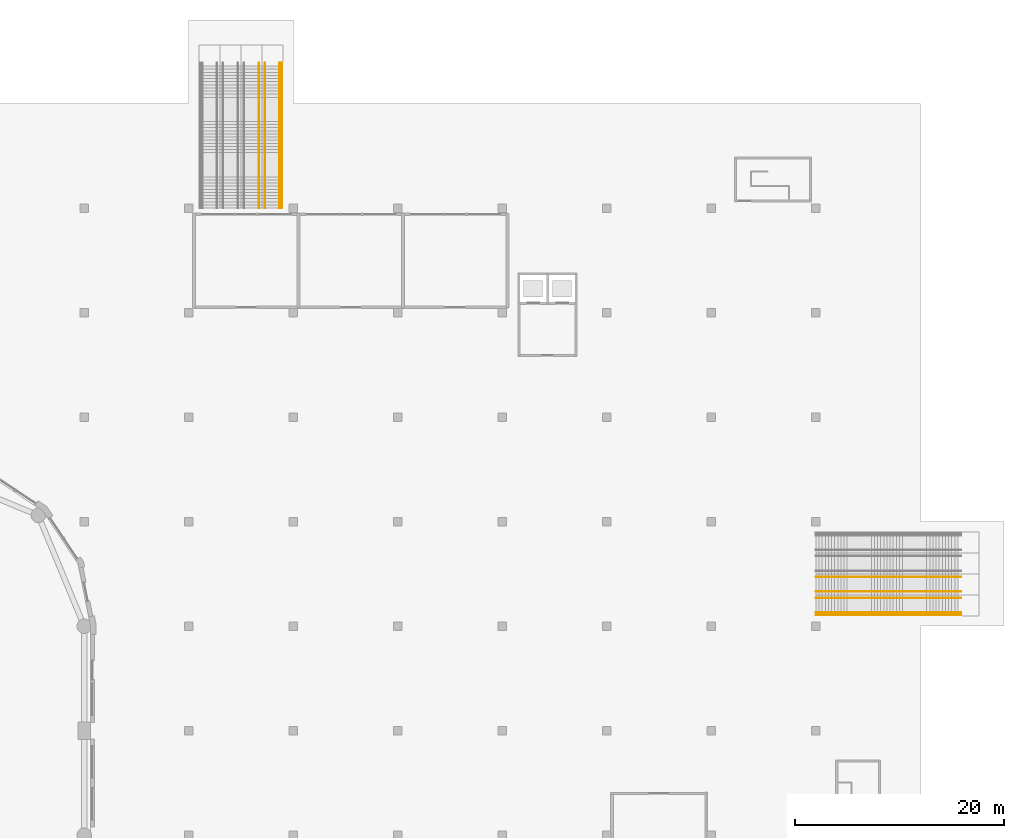
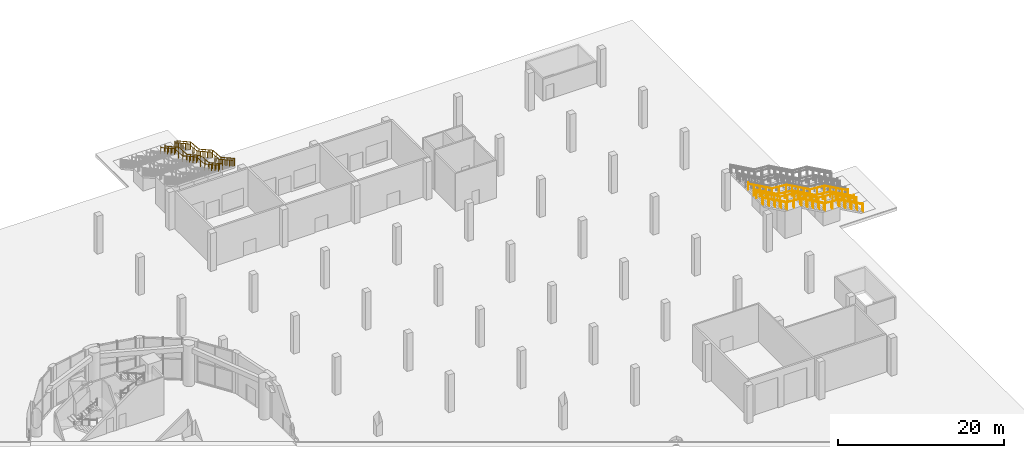
# One storey, part 18 of 21: 9 railings.
"""IFC4 building model written with IfcOpenShell, lengths in metres."""

from ifc_helpers import new_model, si_unit, direction, frame, origin, origin_2d, place, context, subcontext, project, spatial, circle, extrude, material, type_object, element, save


model = new_model("IFC4")

# Units and contexts
model_context = context("Model", 3, precision=1e-05, world=origin(), true_north=direction((0.0, 1.0)))
body_context = subcontext(model_context, "Body", "Model", "MODEL_VIEW")
ifc_project = project(units=[si_unit("LENGTHUNIT", "METRE"), si_unit("AREAUNIT", "SQUARE_METRE"), si_unit("VOLUMEUNIT", "CUBIC_METRE"), si_unit("PLANEANGLEUNIT", "RADIAN"), si_unit("MASSUNIT", "GRAM", prefix="KILO")], contexts=[model_context])

# Site, building, storey
site_placement = place(None, origin())
site = spatial("IfcSite", under=ifc_project, at=site_placement, CompositionType="ELEMENT")
building_placement = place(site_placement, origin())
building = spatial("IfcBuilding", under=site, at=building_placement, Name="Qaws Garden Tower", CompositionType="ELEMENT")
storey_placement = place(building_placement, origin())
storey = spatial("IfcBuildingStorey", under=building, at=storey_placement, Name="L00", CompositionType="ELEMENT", Elevation=0.0)

# Railings
ifc_material_1 = material(Name="Steel S355", Category="steel")
railing_type_1 = type_object("IfcRailingType", Name="Guard steel balustrade 1100", PredefinedType="GUARDRAIL", material=ifc_material_1)
railing_1_placement = place(storey_placement, frame((48.93994140625, 100.0, 6.0)))
element("IfcRailing", 1, at=railing_1_placement, inside=storey, type_object=railing_type_1, Name="Stair guard", PredefinedType="GUARDRAIL", context=body_context, shape_type="SweptSolid", body=[
    extrude(circle(Radius=0.02392578125, at=origin_2d()), frame((0.0, 0.0, 1.076171875), z_axis=(0.0, 0.874169478083, -0.485620966999), x_axis=(-1.0, 0.0, 0.0)), (0.0, 0.0, 1.0), 3.775146484375),
    extrude(circle(Radius=0.02392578125, at=origin_2d()), frame((0.0, 3.300048828125, -0.75732421875), z_axis=(0.0, 0.996542401618, -0.083085749549), x_axis=(-1.0, 0.0, 0.0)), (0.0, 0.0, 1.0), 2.0068359375),
    extrude(circle(Radius=0.02392578125, at=origin_2d()), frame((0.0, 5.300048828125, -0.923828125), z_axis=(0.0, 0.874169478083, -0.485620966999), x_axis=(-1.0, 0.0, 0.0)), (0.0, 0.0, 1.0), 3.775146484375),
    extrude(circle(Radius=0.02392578125, at=origin_2d()), frame((0.0, 8.60009765625, -2.75732421875), z_axis=(0.0, 0.996542401618, -0.083085749549), x_axis=(-1.0, 0.0, 0.0)), (0.0, 0.0, 1.0), 2.0068359375),
    extrude(circle(Radius=0.02392578125, at=origin_2d()), frame((0.0, 10.60009765625, -2.923828125), z_axis=(0.0, 0.874154225373, -0.485648422486), x_axis=(-1.0, 0.0, 0.0)), (0.0, 0.0, 1.0), 3.77490234375),
    extrude(circle(Radius=0.02099609375, at=origin_2d()), origin(), (0.0, 0.0, 1.0), 1.052001953125),
    extrude(circle(Radius=0.02099609375, at=origin_2d()), frame((0.0, 0.824951171875, -0.458251953125)), (0.0, 0.0, 1.0), 1.052001953125),
    extrude(circle(Radius=0.02099609375, at=origin_2d()), frame((0.0, 1.64990234375, -0.91650390625)), (0.0, 0.0, 1.0), 1.052001953125),
    extrude(circle(Radius=0.02099609375, at=origin_2d()), frame((0.0, 2.47509765625, -1.375)), (0.0, 0.0, 1.0), 1.052001953125),
    extrude(circle(Radius=0.02099609375, at=origin_2d()), frame((0.0, 3.300048828125, -1.833251953125)), (0.0, 0.0, 1.0), 1.052001953125),
    extrude(circle(Radius=0.02099609375, at=origin_2d()), frame((0.0, 4.300048828125, -1.91650390625)), (0.0, 0.0, 1.0), 1.052001953125),
    extrude(circle(Radius=0.02099609375, at=origin_2d()), frame((0.0, 5.300048828125, -2.0)), (0.0, 0.0, 1.0), 1.052001953125),
    extrude(circle(Radius=0.02099609375, at=origin_2d()), frame((0.0, 6.125, -2.458251953125)), (0.0, 0.0, 1.0), 1.052001953125),
    extrude(circle(Radius=0.02099609375, at=origin_2d()), frame((0.0, 6.9501953125, -2.91650390625)), (0.0, 0.0, 1.0), 1.052001953125),
    extrude(circle(Radius=0.02099609375, at=origin_2d()), frame((0.0, 7.775146484375, -3.375)), (0.0, 0.0, 1.0), 1.052001953125),
    extrude(circle(Radius=0.02099609375, at=origin_2d()), frame((0.0, 8.60009765625, -3.833251953125)), (0.0, 0.0, 1.0), 1.052001953125),
    extrude(circle(Radius=0.02099609375, at=origin_2d()), frame((0.0, 9.60009765625, -3.91650390625)), (0.0, 0.0, 1.0), 1.052001953125),
    extrude(circle(Radius=0.02099609375, at=origin_2d()), frame((0.0, 10.60009765625, -4.0)), (0.0, 0.0, 1.0), 1.052001953125),
    extrude(circle(Radius=0.02099609375, at=origin_2d()), frame((0.0, 11.425048828125, -4.458251953125)), (0.0, 0.0, 1.0), 1.052001953125),
    extrude(circle(Radius=0.02099609375, at=origin_2d()), frame((0.0, 12.25, -4.91650390625)), (0.0, 0.0, 1.0), 1.052001953125),
    extrude(circle(Radius=0.02099609375, at=origin_2d()), frame((0.0, 13.074951171875, -5.375)), (0.0, 0.0, 1.0), 1.052001953125),
    extrude(circle(Radius=0.02099609375, at=origin_2d()), frame((0.0, 13.89990234375, -5.833251953125)), (0.0, 0.0, 1.0), 1.052001953125),
])
railing_2_placement = place(storey_placement, frame((100.0, 61.06005859375, 6.0)))
element("IfcRailing", 2, at=railing_2_placement, inside=storey, type_object=railing_type_1, Name="Stair guard", PredefinedType="GUARDRAIL", context=body_context, shape_type="SweptSolid", body=[
    extrude(circle(Radius=0.02392578125, at=origin_2d()), frame((0.0, 0.0, 1.076171875), z_axis=(0.874169478083, 0.0, -0.485620966999), x_axis=(0.0, 1.0, 0.0)), (0.0, 0.0, 1.0), 3.775146484375),
    extrude(circle(Radius=0.02392578125, at=origin_2d()), frame((3.300048828125, 0.0, -0.75732421875), z_axis=(0.996542401618, 0.0, -0.083085749549), x_axis=(0.0, 1.0, 0.0)), (0.0, 0.0, 1.0), 2.0068359375),
    extrude(circle(Radius=0.02392578125, at=origin_2d()), frame((5.300048828125, 0.0, -0.923828125), z_axis=(0.874169478083, 0.0, -0.485620966999), x_axis=(0.0, 1.0, 0.0)), (0.0, 0.0, 1.0), 3.775146484375),
    extrude(circle(Radius=0.02392578125, at=origin_2d()), frame((8.60009765625, 0.0, -2.75732421875), z_axis=(0.996542401618, 0.0, -0.083085749549), x_axis=(0.0, 1.0, 0.0)), (0.0, 0.0, 1.0), 2.0068359375),
    extrude(circle(Radius=0.02392578125, at=origin_2d()), frame((10.60009765625, 0.0, -2.923828125), z_axis=(0.874154225373, 0.0, -0.485648422486), x_axis=(0.0, 1.0, 0.0)), (0.0, 0.0, 1.0), 3.77490234375),
    extrude(circle(Radius=0.02099609375, at=origin_2d()), origin(), (0.0, 0.0, 1.0), 1.052001953125),
    extrude(circle(Radius=0.02099609375, at=origin_2d()), frame((0.824951171875, 0.0, -0.458251953125)), (0.0, 0.0, 1.0), 1.052001953125),
    extrude(circle(Radius=0.02099609375, at=origin_2d()), frame((1.64990234375, 0.0, -0.91650390625)), (0.0, 0.0, 1.0), 1.052001953125),
    extrude(circle(Radius=0.02099609375, at=origin_2d()), frame((2.47509765625, 0.0, -1.375)), (0.0, 0.0, 1.0), 1.052001953125),
    extrude(circle(Radius=0.02099609375, at=origin_2d()), frame((3.300048828125, 0.0, -1.833251953125)), (0.0, 0.0, 1.0), 1.052001953125),
    extrude(circle(Radius=0.02099609375, at=origin_2d()), frame((4.300048828125, 0.0, -1.91650390625)), (0.0, 0.0, 1.0), 1.052001953125),
    extrude(circle(Radius=0.02099609375, at=origin_2d()), frame((5.300048828125, 0.0, -2.0)), (0.0, 0.0, 1.0), 1.052001953125),
    extrude(circle(Radius=0.02099609375, at=origin_2d()), frame((6.125, 0.0, -2.458251953125)), (0.0, 0.0, 1.0), 1.052001953125),
    extrude(circle(Radius=0.02099609375, at=origin_2d()), frame((6.9501953125, 0.0, -2.91650390625)), (0.0, 0.0, 1.0), 1.052001953125),
    extrude(circle(Radius=0.02099609375, at=origin_2d()), frame((7.775146484375, 0.0, -3.375)), (0.0, 0.0, 1.0), 1.052001953125),
    extrude(circle(Radius=0.02099609375, at=origin_2d()), frame((8.60009765625, 0.0, -3.833251953125)), (0.0, 0.0, 1.0), 1.052001953125),
    extrude(circle(Radius=0.02099609375, at=origin_2d()), frame((9.60009765625, 0.0, -3.91650390625)), (0.0, 0.0, 1.0), 1.052001953125),
    extrude(circle(Radius=0.02099609375, at=origin_2d()), frame((10.60009765625, 0.0, -4.0)), (0.0, 0.0, 1.0), 1.052001953125),
    extrude(circle(Radius=0.02099609375, at=origin_2d()), frame((11.425048828125, 0.0, -4.458251953125)), (0.0, 0.0, 1.0), 1.052001953125),
    extrude(circle(Radius=0.02099609375, at=origin_2d()), frame((12.25, 0.0, -4.91650390625)), (0.0, 0.0, 1.0), 1.052001953125),
    extrude(circle(Radius=0.02099609375, at=origin_2d()), frame((13.074951171875, 0.0, -5.375)), (0.0, 0.0, 1.0), 1.052001953125),
    extrude(circle(Radius=0.02099609375, at=origin_2d()), frame((13.89990234375, 0.0, -5.833251953125)), (0.0, 0.0, 1.0), 1.052001953125),
])
ifc_material_2 = material(Name="Stainless steel 316", Category="steel")
railing_type_2 = type_object("IfcRailingType", Name="Handrail 900", PredefinedType="HANDRAIL", material=ifc_material_2)
railing_3_placement = place(storey_placement, frame((48.699951171875, 100.0, 6.0)))
element("IfcRailing", 3, at=railing_3_placement, inside=storey, type_object=railing_type_2, Name="Stair handrail", PredefinedType="HANDRAIL", context=body_context, shape_type="SweptSolid", body=[
    extrude(circle(Radius=0.02392578125, at=origin_2d()), frame((0.0, 0.0, 0.8759765625), z_axis=(0.0, 0.874169478083, -0.485620966999), x_axis=(-1.0, 0.0, 0.0)), (0.0, 0.0, 1.0), 3.775146484375),
    extrude(circle(Radius=0.02392578125, at=origin_2d()), frame((0.0, 3.300048828125, -0.95751953125), z_axis=(0.0, 0.996542401618, -0.083085749549), x_axis=(-1.0, 0.0, 0.0)), (0.0, 0.0, 1.0), 2.0068359375),
    extrude(circle(Radius=0.02392578125, at=origin_2d()), frame((0.0, 5.300048828125, -1.1240234375), z_axis=(0.0, 0.874169478083, -0.485620966999), x_axis=(-1.0, 0.0, 0.0)), (0.0, 0.0, 1.0), 3.775146484375),
    extrude(circle(Radius=0.02392578125, at=origin_2d()), frame((0.0, 8.60009765625, -2.95751953125), z_axis=(0.0, 0.996542401618, -0.083085749549), x_axis=(-1.0, 0.0, 0.0)), (0.0, 0.0, 1.0), 2.0068359375),
    extrude(circle(Radius=0.02392578125, at=origin_2d()), frame((0.0, 10.60009765625, -3.1240234375), z_axis=(0.0, 0.874154225373, -0.485648422486), x_axis=(-1.0, 0.0, 0.0)), (0.0, 0.0, 1.0), 3.77490234375),
    extrude(circle(Radius=0.02099609375, at=origin_2d()), origin(), (0.0, 0.0, 1.0), 1.06689453125),
    extrude(circle(Radius=0.02099609375, at=origin_2d()), frame((0.0, 0.824951171875, -0.458251953125)), (0.0, 0.0, 1.0), 0.851806640625),
    extrude(circle(Radius=0.02099609375, at=origin_2d()), frame((0.0, 1.64990234375, -0.91650390625)), (0.0, 0.0, 1.0), 0.851806640625),
    extrude(circle(Radius=0.02099609375, at=origin_2d()), frame((0.0, 2.47509765625, -1.375)), (0.0, 0.0, 1.0), 0.851806640625),
    extrude(circle(Radius=0.02099609375, at=origin_2d()), frame((0.0, 3.300048828125, -1.833251953125)), (0.0, 0.0, 1.0), 0.851806640625),
    extrude(circle(Radius=0.02099609375, at=origin_2d()), frame((0.0, 4.300048828125, -1.91650390625)), (0.0, 0.0, 1.0), 0.851806640625),
    extrude(circle(Radius=0.02099609375, at=origin_2d()), frame((0.0, 5.300048828125, -2.0)), (0.0, 0.0, 1.0), 0.851806640625),
    extrude(circle(Radius=0.02099609375, at=origin_2d()), frame((0.0, 6.125, -2.458251953125)), (0.0, 0.0, 1.0), 0.851806640625),
    extrude(circle(Radius=0.02099609375, at=origin_2d()), frame((0.0, 6.9501953125, -2.91650390625)), (0.0, 0.0, 1.0), 0.851806640625),
    extrude(circle(Radius=0.02099609375, at=origin_2d()), frame((0.0, 7.775146484375, -3.375)), (0.0, 0.0, 1.0), 0.851806640625),
    extrude(circle(Radius=0.02099609375, at=origin_2d()), frame((0.0, 8.60009765625, -3.833251953125)), (0.0, 0.0, 1.0), 0.851806640625),
    extrude(circle(Radius=0.02099609375, at=origin_2d()), frame((0.0, 9.60009765625, -3.91650390625)), (0.0, 0.0, 1.0), 0.851806640625),
    extrude(circle(Radius=0.02099609375, at=origin_2d()), frame((0.0, 10.60009765625, -4.0)), (0.0, 0.0, 1.0), 0.851806640625),
    extrude(circle(Radius=0.02099609375, at=origin_2d()), frame((0.0, 11.425048828125, -4.458251953125)), (0.0, 0.0, 1.0), 0.851806640625),
    extrude(circle(Radius=0.02099609375, at=origin_2d()), frame((0.0, 12.25, -4.91650390625)), (0.0, 0.0, 1.0), 0.851806640625),
    extrude(circle(Radius=0.02099609375, at=origin_2d()), frame((0.0, 13.074951171875, -5.375)), (0.0, 0.0, 1.0), 0.851806640625),
    extrude(circle(Radius=0.02099609375, at=origin_2d()), frame((0.0, 13.89990234375, -5.833251953125)), (0.0, 0.0, 1.0), 1.06689453125),
])
railing_4_placement = place(storey_placement, frame((47.300048828125, 100.0, 6.0)))
element("IfcRailing", 4, at=railing_4_placement, inside=storey, type_object=railing_type_2, Name="Stair handrail", PredefinedType="HANDRAIL", context=body_context, shape_type="SweptSolid", body=[
    extrude(circle(Radius=0.02392578125, at=origin_2d()), frame((0.0, 0.0, 0.8759765625), z_axis=(0.0, 0.874169478083, -0.485620966999), x_axis=(-1.0, 0.0, 0.0)), (0.0, 0.0, 1.0), 3.775146484375),
    extrude(circle(Radius=0.02392578125, at=origin_2d()), frame((0.0, 3.300048828125, -0.95751953125), z_axis=(0.0, 0.996542401618, -0.083085749549), x_axis=(-1.0, 0.0, 0.0)), (0.0, 0.0, 1.0), 2.0068359375),
    extrude(circle(Radius=0.02392578125, at=origin_2d()), frame((0.0, 5.300048828125, -1.1240234375), z_axis=(0.0, 0.874169478083, -0.485620966999), x_axis=(-1.0, 0.0, 0.0)), (0.0, 0.0, 1.0), 3.775146484375),
    extrude(circle(Radius=0.02392578125, at=origin_2d()), frame((0.0, 8.60009765625, -2.95751953125), z_axis=(0.0, 0.996542401618, -0.083085749549), x_axis=(-1.0, 0.0, 0.0)), (0.0, 0.0, 1.0), 2.0068359375),
    extrude(circle(Radius=0.02392578125, at=origin_2d()), frame((0.0, 10.60009765625, -3.1240234375), z_axis=(0.0, 0.874154225373, -0.485648422486), x_axis=(-1.0, 0.0, 0.0)), (0.0, 0.0, 1.0), 3.77490234375),
    extrude(circle(Radius=0.02099609375, at=origin_2d()), origin(), (0.0, 0.0, 1.0), 1.06689453125),
    extrude(circle(Radius=0.02099609375, at=origin_2d()), frame((0.0, 0.824951171875, -0.458251953125)), (0.0, 0.0, 1.0), 0.851806640625),
    extrude(circle(Radius=0.02099609375, at=origin_2d()), frame((0.0, 1.64990234375, -0.91650390625)), (0.0, 0.0, 1.0), 0.851806640625),
    extrude(circle(Radius=0.02099609375, at=origin_2d()), frame((0.0, 2.47509765625, -1.375)), (0.0, 0.0, 1.0), 0.851806640625),
    extrude(circle(Radius=0.02099609375, at=origin_2d()), frame((0.0, 3.300048828125, -1.833251953125)), (0.0, 0.0, 1.0), 0.851806640625),
    extrude(circle(Radius=0.02099609375, at=origin_2d()), frame((0.0, 4.300048828125, -1.91650390625)), (0.0, 0.0, 1.0), 0.851806640625),
    extrude(circle(Radius=0.02099609375, at=origin_2d()), frame((0.0, 5.300048828125, -2.0)), (0.0, 0.0, 1.0), 0.851806640625),
    extrude(circle(Radius=0.02099609375, at=origin_2d()), frame((0.0, 6.125, -2.458251953125)), (0.0, 0.0, 1.0), 0.851806640625),
    extrude(circle(Radius=0.02099609375, at=origin_2d()), frame((0.0, 6.9501953125, -2.91650390625)), (0.0, 0.0, 1.0), 0.851806640625),
    extrude(circle(Radius=0.02099609375, at=origin_2d()), frame((0.0, 7.775146484375, -3.375)), (0.0, 0.0, 1.0), 0.851806640625),
    extrude(circle(Radius=0.02099609375, at=origin_2d()), frame((0.0, 8.60009765625, -3.833251953125)), (0.0, 0.0, 1.0), 0.851806640625),
    extrude(circle(Radius=0.02099609375, at=origin_2d()), frame((0.0, 9.60009765625, -3.91650390625)), (0.0, 0.0, 1.0), 0.851806640625),
    extrude(circle(Radius=0.02099609375, at=origin_2d()), frame((0.0, 10.60009765625, -4.0)), (0.0, 0.0, 1.0), 0.851806640625),
    extrude(circle(Radius=0.02099609375, at=origin_2d()), frame((0.0, 11.425048828125, -4.458251953125)), (0.0, 0.0, 1.0), 0.851806640625),
    extrude(circle(Radius=0.02099609375, at=origin_2d()), frame((0.0, 12.25, -4.91650390625)), (0.0, 0.0, 1.0), 0.851806640625),
    extrude(circle(Radius=0.02099609375, at=origin_2d()), frame((0.0, 13.074951171875, -5.375)), (0.0, 0.0, 1.0), 0.851806640625),
    extrude(circle(Radius=0.02099609375, at=origin_2d()), frame((0.0, 13.89990234375, -5.833251953125)), (0.0, 0.0, 1.0), 1.06689453125),
])
railing_5_placement = place(storey_placement, frame((46.699951171875, 100.0, 6.0)))
element("IfcRailing", 5, at=railing_5_placement, inside=storey, type_object=railing_type_2, Name="Stair handrail", PredefinedType="HANDRAIL", context=body_context, shape_type="SweptSolid", body=[
    extrude(circle(Radius=0.02392578125, at=origin_2d()), frame((0.0, 0.0, 0.8759765625), z_axis=(0.0, 0.874169478083, -0.485620966999), x_axis=(-1.0, 0.0, 0.0)), (0.0, 0.0, 1.0), 3.775146484375),
    extrude(circle(Radius=0.02392578125, at=origin_2d()), frame((0.0, 3.300048828125, -0.95751953125), z_axis=(0.0, 0.996542401618, -0.083085749549), x_axis=(-1.0, 0.0, 0.0)), (0.0, 0.0, 1.0), 2.0068359375),
    extrude(circle(Radius=0.02392578125, at=origin_2d()), frame((0.0, 5.300048828125, -1.1240234375), z_axis=(0.0, 0.874169478083, -0.485620966999), x_axis=(-1.0, 0.0, 0.0)), (0.0, 0.0, 1.0), 3.775146484375),
    extrude(circle(Radius=0.02392578125, at=origin_2d()), frame((0.0, 8.60009765625, -2.95751953125), z_axis=(0.0, 0.996542401618, -0.083085749549), x_axis=(-1.0, 0.0, 0.0)), (0.0, 0.0, 1.0), 2.0068359375),
    extrude(circle(Radius=0.02392578125, at=origin_2d()), frame((0.0, 10.60009765625, -3.1240234375), z_axis=(0.0, 0.874154225373, -0.485648422486), x_axis=(-1.0, 0.0, 0.0)), (0.0, 0.0, 1.0), 3.77490234375),
    extrude(circle(Radius=0.02099609375, at=origin_2d()), origin(), (0.0, 0.0, 1.0), 1.06689453125),
    extrude(circle(Radius=0.02099609375, at=origin_2d()), frame((0.0, 0.824951171875, -0.458251953125)), (0.0, 0.0, 1.0), 0.851806640625),
    extrude(circle(Radius=0.02099609375, at=origin_2d()), frame((0.0, 1.64990234375, -0.91650390625)), (0.0, 0.0, 1.0), 0.851806640625),
    extrude(circle(Radius=0.02099609375, at=origin_2d()), frame((0.0, 2.47509765625, -1.375)), (0.0, 0.0, 1.0), 0.851806640625),
    extrude(circle(Radius=0.02099609375, at=origin_2d()), frame((0.0, 3.300048828125, -1.833251953125)), (0.0, 0.0, 1.0), 0.851806640625),
    extrude(circle(Radius=0.02099609375, at=origin_2d()), frame((0.0, 4.300048828125, -1.91650390625)), (0.0, 0.0, 1.0), 0.851806640625),
    extrude(circle(Radius=0.02099609375, at=origin_2d()), frame((0.0, 5.300048828125, -2.0)), (0.0, 0.0, 1.0), 0.851806640625),
    extrude(circle(Radius=0.02099609375, at=origin_2d()), frame((0.0, 6.125, -2.458251953125)), (0.0, 0.0, 1.0), 0.851806640625),
    extrude(circle(Radius=0.02099609375, at=origin_2d()), frame((0.0, 6.9501953125, -2.91650390625)), (0.0, 0.0, 1.0), 0.851806640625),
    extrude(circle(Radius=0.02099609375, at=origin_2d()), frame((0.0, 7.775146484375, -3.375)), (0.0, 0.0, 1.0), 0.851806640625),
    extrude(circle(Radius=0.02099609375, at=origin_2d()), frame((0.0, 8.60009765625, -3.833251953125)), (0.0, 0.0, 1.0), 0.851806640625),
    extrude(circle(Radius=0.02099609375, at=origin_2d()), frame((0.0, 9.60009765625, -3.91650390625)), (0.0, 0.0, 1.0), 0.851806640625),
    extrude(circle(Radius=0.02099609375, at=origin_2d()), frame((0.0, 10.60009765625, -4.0)), (0.0, 0.0, 1.0), 0.851806640625),
    extrude(circle(Radius=0.02099609375, at=origin_2d()), frame((0.0, 11.425048828125, -4.458251953125)), (0.0, 0.0, 1.0), 0.851806640625),
    extrude(circle(Radius=0.02099609375, at=origin_2d()), frame((0.0, 12.25, -4.91650390625)), (0.0, 0.0, 1.0), 0.851806640625),
    extrude(circle(Radius=0.02099609375, at=origin_2d()), frame((0.0, 13.074951171875, -5.375)), (0.0, 0.0, 1.0), 0.851806640625),
    extrude(circle(Radius=0.02099609375, at=origin_2d()), frame((0.0, 13.89990234375, -5.833251953125)), (0.0, 0.0, 1.0), 1.06689453125),
])
railing_6_placement = place(storey_placement, frame((100.0, 61.300048828125, 6.0)))
element("IfcRailing", 6, at=railing_6_placement, inside=storey, type_object=railing_type_2, Name="Stair handrail", PredefinedType="HANDRAIL", context=body_context, shape_type="SweptSolid", body=[
    extrude(circle(Radius=0.02392578125, at=origin_2d()), frame((0.0, 0.0, 0.8759765625), z_axis=(0.874169478083, 0.0, -0.485620966999), x_axis=(0.0, 1.0, 0.0)), (0.0, 0.0, 1.0), 3.775146484375),
    extrude(circle(Radius=0.02392578125, at=origin_2d()), frame((3.300048828125, 0.0, -0.95751953125), z_axis=(0.996542401618, 0.0, -0.083085749549), x_axis=(0.0, 1.0, 0.0)), (0.0, 0.0, 1.0), 2.0068359375),
    extrude(circle(Radius=0.02392578125, at=origin_2d()), frame((5.300048828125, 0.0, -1.1240234375), z_axis=(0.874169478083, 0.0, -0.485620966999), x_axis=(0.0, 1.0, 0.0)), (0.0, 0.0, 1.0), 3.775146484375),
    extrude(circle(Radius=0.02392578125, at=origin_2d()), frame((8.60009765625, 0.0, -2.95751953125), z_axis=(0.996542401618, 0.0, -0.083085749549), x_axis=(0.0, 1.0, 0.0)), (0.0, 0.0, 1.0), 2.0068359375),
    extrude(circle(Radius=0.02392578125, at=origin_2d()), frame((10.60009765625, 0.0, -3.1240234375), z_axis=(0.874154225373, 0.0, -0.485648422486), x_axis=(0.0, 1.0, 0.0)), (0.0, 0.0, 1.0), 3.77490234375),
    extrude(circle(Radius=0.02099609375, at=origin_2d()), origin(), (0.0, 0.0, 1.0), 1.06689453125),
    extrude(circle(Radius=0.02099609375, at=origin_2d()), frame((0.824951171875, 0.0, -0.458251953125)), (0.0, 0.0, 1.0), 0.851806640625),
    extrude(circle(Radius=0.02099609375, at=origin_2d()), frame((1.64990234375, 0.0, -0.91650390625)), (0.0, 0.0, 1.0), 0.851806640625),
    extrude(circle(Radius=0.02099609375, at=origin_2d()), frame((2.47509765625, 0.0, -1.375)), (0.0, 0.0, 1.0), 0.851806640625),
    extrude(circle(Radius=0.02099609375, at=origin_2d()), frame((3.300048828125, 0.0, -1.833251953125)), (0.0, 0.0, 1.0), 0.851806640625),
    extrude(circle(Radius=0.02099609375, at=origin_2d()), frame((4.300048828125, 0.0, -1.91650390625)), (0.0, 0.0, 1.0), 0.851806640625),
    extrude(circle(Radius=0.02099609375, at=origin_2d()), frame((5.300048828125, 0.0, -2.0)), (0.0, 0.0, 1.0), 0.851806640625),
    extrude(circle(Radius=0.02099609375, at=origin_2d()), frame((6.125, 0.0, -2.458251953125)), (0.0, 0.0, 1.0), 0.851806640625),
    extrude(circle(Radius=0.02099609375, at=origin_2d()), frame((6.9501953125, 0.0, -2.91650390625)), (0.0, 0.0, 1.0), 0.851806640625),
    extrude(circle(Radius=0.02099609375, at=origin_2d()), frame((7.775146484375, 0.0, -3.375)), (0.0, 0.0, 1.0), 0.851806640625),
    extrude(circle(Radius=0.02099609375, at=origin_2d()), frame((8.60009765625, 0.0, -3.833251953125)), (0.0, 0.0, 1.0), 0.851806640625),
    extrude(circle(Radius=0.02099609375, at=origin_2d()), frame((9.60009765625, 0.0, -3.91650390625)), (0.0, 0.0, 1.0), 0.851806640625),
    extrude(circle(Radius=0.02099609375, at=origin_2d()), frame((10.60009765625, 0.0, -4.0)), (0.0, 0.0, 1.0), 0.851806640625),
    extrude(circle(Radius=0.02099609375, at=origin_2d()), frame((11.425048828125, 0.0, -4.458251953125)), (0.0, 0.0, 1.0), 0.851806640625),
    extrude(circle(Radius=0.02099609375, at=origin_2d()), frame((12.25, 0.0, -4.91650390625)), (0.0, 0.0, 1.0), 0.851806640625),
    extrude(circle(Radius=0.02099609375, at=origin_2d()), frame((13.074951171875, 0.0, -5.375)), (0.0, 0.0, 1.0), 0.851806640625),
    extrude(circle(Radius=0.02099609375, at=origin_2d()), frame((13.89990234375, 0.0, -5.833251953125)), (0.0, 0.0, 1.0), 1.06689453125),
])
railing_7_placement = place(storey_placement, frame((100.0, 62.699951171875, 6.0)))
element("IfcRailing", 7, at=railing_7_placement, inside=storey, type_object=railing_type_2, Name="Stair handrail", PredefinedType="HANDRAIL", context=body_context, shape_type="SweptSolid", body=[
    extrude(circle(Radius=0.02392578125, at=origin_2d()), frame((0.0, 0.0, 0.8759765625), z_axis=(0.874169478083, 0.0, -0.485620966999), x_axis=(0.0, 1.0, 0.0)), (0.0, 0.0, 1.0), 3.775146484375),
    extrude(circle(Radius=0.02392578125, at=origin_2d()), frame((3.300048828125, 0.0, -0.95751953125), z_axis=(0.996542401618, 0.0, -0.083085749549), x_axis=(0.0, 1.0, 0.0)), (0.0, 0.0, 1.0), 2.0068359375),
    extrude(circle(Radius=0.02392578125, at=origin_2d()), frame((5.300048828125, 0.0, -1.1240234375), z_axis=(0.874169478083, 0.0, -0.485620966999), x_axis=(0.0, 1.0, 0.0)), (0.0, 0.0, 1.0), 3.775146484375),
    extrude(circle(Radius=0.02392578125, at=origin_2d()), frame((8.60009765625, 0.0, -2.95751953125), z_axis=(0.996542401618, 0.0, -0.083085749549), x_axis=(0.0, 1.0, 0.0)), (0.0, 0.0, 1.0), 2.0068359375),
    extrude(circle(Radius=0.02392578125, at=origin_2d()), frame((10.60009765625, 0.0, -3.1240234375), z_axis=(0.874154225373, 0.0, -0.485648422486), x_axis=(0.0, 1.0, 0.0)), (0.0, 0.0, 1.0), 3.77490234375),
    extrude(circle(Radius=0.02099609375, at=origin_2d()), origin(), (0.0, 0.0, 1.0), 1.06689453125),
    extrude(circle(Radius=0.02099609375, at=origin_2d()), frame((0.824951171875, 0.0, -0.458251953125)), (0.0, 0.0, 1.0), 0.851806640625),
    extrude(circle(Radius=0.02099609375, at=origin_2d()), frame((1.64990234375, 0.0, -0.91650390625)), (0.0, 0.0, 1.0), 0.851806640625),
    extrude(circle(Radius=0.02099609375, at=origin_2d()), frame((2.47509765625, 0.0, -1.375)), (0.0, 0.0, 1.0), 0.851806640625),
    extrude(circle(Radius=0.02099609375, at=origin_2d()), frame((3.300048828125, 0.0, -1.833251953125)), (0.0, 0.0, 1.0), 0.851806640625),
    extrude(circle(Radius=0.02099609375, at=origin_2d()), frame((4.300048828125, 0.0, -1.91650390625)), (0.0, 0.0, 1.0), 0.851806640625),
    extrude(circle(Radius=0.02099609375, at=origin_2d()), frame((5.300048828125, 0.0, -2.0)), (0.0, 0.0, 1.0), 0.851806640625),
    extrude(circle(Radius=0.02099609375, at=origin_2d()), frame((6.125, 0.0, -2.458251953125)), (0.0, 0.0, 1.0), 0.851806640625),
    extrude(circle(Radius=0.02099609375, at=origin_2d()), frame((6.9501953125, 0.0, -2.91650390625)), (0.0, 0.0, 1.0), 0.851806640625),
    extrude(circle(Radius=0.02099609375, at=origin_2d()), frame((7.775146484375, 0.0, -3.375)), (0.0, 0.0, 1.0), 0.851806640625),
    extrude(circle(Radius=0.02099609375, at=origin_2d()), frame((8.60009765625, 0.0, -3.833251953125)), (0.0, 0.0, 1.0), 0.851806640625),
    extrude(circle(Radius=0.02099609375, at=origin_2d()), frame((9.60009765625, 0.0, -3.91650390625)), (0.0, 0.0, 1.0), 0.851806640625),
    extrude(circle(Radius=0.02099609375, at=origin_2d()), frame((10.60009765625, 0.0, -4.0)), (0.0, 0.0, 1.0), 0.851806640625),
    extrude(circle(Radius=0.02099609375, at=origin_2d()), frame((11.425048828125, 0.0, -4.458251953125)), (0.0, 0.0, 1.0), 0.851806640625),
    extrude(circle(Radius=0.02099609375, at=origin_2d()), frame((12.25, 0.0, -4.91650390625)), (0.0, 0.0, 1.0), 0.851806640625),
    extrude(circle(Radius=0.02099609375, at=origin_2d()), frame((13.074951171875, 0.0, -5.375)), (0.0, 0.0, 1.0), 0.851806640625),
    extrude(circle(Radius=0.02099609375, at=origin_2d()), frame((13.89990234375, 0.0, -5.833251953125)), (0.0, 0.0, 1.0), 1.06689453125),
])
railing_8_placement = place(storey_placement, frame((100.0, 63.300048828125, 6.0)))
element("IfcRailing", 8, at=railing_8_placement, inside=storey, type_object=railing_type_2, Name="Stair handrail", PredefinedType="HANDRAIL", context=body_context, shape_type="SweptSolid", body=[
    extrude(circle(Radius=0.02392578125, at=origin_2d()), frame((0.0, 0.0, 0.8759765625), z_axis=(0.874169478083, 0.0, -0.485620966999), x_axis=(0.0, 1.0, 0.0)), (0.0, 0.0, 1.0), 3.775146484375),
    extrude(circle(Radius=0.02392578125, at=origin_2d()), frame((3.300048828125, 0.0, -0.95751953125), z_axis=(0.996542401618, 0.0, -0.083085749549), x_axis=(0.0, 1.0, 0.0)), (0.0, 0.0, 1.0), 2.0068359375),
    extrude(circle(Radius=0.02392578125, at=origin_2d()), frame((5.300048828125, 0.0, -1.1240234375), z_axis=(0.874169478083, 0.0, -0.485620966999), x_axis=(0.0, 1.0, 0.0)), (0.0, 0.0, 1.0), 3.775146484375),
    extrude(circle(Radius=0.02392578125, at=origin_2d()), frame((8.60009765625, 0.0, -2.95751953125), z_axis=(0.996542401618, 0.0, -0.083085749549), x_axis=(0.0, 1.0, 0.0)), (0.0, 0.0, 1.0), 2.0068359375),
    extrude(circle(Radius=0.02392578125, at=origin_2d()), frame((10.60009765625, 0.0, -3.1240234375), z_axis=(0.874154225373, 0.0, -0.485648422486), x_axis=(0.0, 1.0, 0.0)), (0.0, 0.0, 1.0), 3.77490234375),
    extrude(circle(Radius=0.02099609375, at=origin_2d()), origin(), (0.0, 0.0, 1.0), 1.06689453125),
    extrude(circle(Radius=0.02099609375, at=origin_2d()), frame((0.824951171875, 0.0, -0.458251953125)), (0.0, 0.0, 1.0), 0.851806640625),
    extrude(circle(Radius=0.02099609375, at=origin_2d()), frame((1.64990234375, 0.0, -0.91650390625)), (0.0, 0.0, 1.0), 0.851806640625),
    extrude(circle(Radius=0.02099609375, at=origin_2d()), frame((2.47509765625, 0.0, -1.375)), (0.0, 0.0, 1.0), 0.851806640625),
    extrude(circle(Radius=0.02099609375, at=origin_2d()), frame((3.300048828125, 0.0, -1.833251953125)), (0.0, 0.0, 1.0), 0.851806640625),
    extrude(circle(Radius=0.02099609375, at=origin_2d()), frame((4.300048828125, 0.0, -1.91650390625)), (0.0, 0.0, 1.0), 0.851806640625),
    extrude(circle(Radius=0.02099609375, at=origin_2d()), frame((5.300048828125, 0.0, -2.0)), (0.0, 0.0, 1.0), 0.851806640625),
    extrude(circle(Radius=0.02099609375, at=origin_2d()), frame((6.125, 0.0, -2.458251953125)), (0.0, 0.0, 1.0), 0.851806640625),
    extrude(circle(Radius=0.02099609375, at=origin_2d()), frame((6.9501953125, 0.0, -2.91650390625)), (0.0, 0.0, 1.0), 0.851806640625),
    extrude(circle(Radius=0.02099609375, at=origin_2d()), frame((7.775146484375, 0.0, -3.375)), (0.0, 0.0, 1.0), 0.851806640625),
    extrude(circle(Radius=0.02099609375, at=origin_2d()), frame((8.60009765625, 0.0, -3.833251953125)), (0.0, 0.0, 1.0), 0.851806640625),
    extrude(circle(Radius=0.02099609375, at=origin_2d()), frame((9.60009765625, 0.0, -3.91650390625)), (0.0, 0.0, 1.0), 0.851806640625),
    extrude(circle(Radius=0.02099609375, at=origin_2d()), frame((10.60009765625, 0.0, -4.0)), (0.0, 0.0, 1.0), 0.851806640625),
    extrude(circle(Radius=0.02099609375, at=origin_2d()), frame((11.425048828125, 0.0, -4.458251953125)), (0.0, 0.0, 1.0), 0.851806640625),
    extrude(circle(Radius=0.02099609375, at=origin_2d()), frame((12.25, 0.0, -4.91650390625)), (0.0, 0.0, 1.0), 0.851806640625),
    extrude(circle(Radius=0.02099609375, at=origin_2d()), frame((13.074951171875, 0.0, -5.375)), (0.0, 0.0, 1.0), 0.851806640625),
    extrude(circle(Radius=0.02099609375, at=origin_2d()), frame((13.89990234375, 0.0, -5.833251953125)), (0.0, 0.0, 1.0), 1.06689453125),
])
railing_9_placement = place(storey_placement, frame((100.0, 64.699951171875, 6.0)))
element("IfcRailing", 9, at=railing_9_placement, inside=storey, type_object=railing_type_2, Name="Stair handrail", PredefinedType="HANDRAIL", context=body_context, shape_type="SweptSolid", body=[
    extrude(circle(Radius=0.02392578125, at=origin_2d()), frame((0.0, 0.0, 0.8759765625), z_axis=(0.874169478083, 0.0, -0.485620966999), x_axis=(0.0, 1.0, 0.0)), (0.0, 0.0, 1.0), 3.775146484375),
    extrude(circle(Radius=0.02392578125, at=origin_2d()), frame((3.300048828125, 0.0, -0.95751953125), z_axis=(0.996542401618, 0.0, -0.083085749549), x_axis=(0.0, 1.0, 0.0)), (0.0, 0.0, 1.0), 2.0068359375),
    extrude(circle(Radius=0.02392578125, at=origin_2d()), frame((5.300048828125, 0.0, -1.1240234375), z_axis=(0.874169478083, 0.0, -0.485620966999), x_axis=(0.0, 1.0, 0.0)), (0.0, 0.0, 1.0), 3.775146484375),
    extrude(circle(Radius=0.02392578125, at=origin_2d()), frame((8.60009765625, 0.0, -2.95751953125), z_axis=(0.996542401618, 0.0, -0.083085749549), x_axis=(0.0, 1.0, 0.0)), (0.0, 0.0, 1.0), 2.0068359375),
    extrude(circle(Radius=0.02392578125, at=origin_2d()), frame((10.60009765625, 0.0, -3.1240234375), z_axis=(0.874154225373, 0.0, -0.485648422486), x_axis=(0.0, 1.0, 0.0)), (0.0, 0.0, 1.0), 3.77490234375),
    extrude(circle(Radius=0.02099609375, at=origin_2d()), origin(), (0.0, 0.0, 1.0), 1.06689453125),
    extrude(circle(Radius=0.02099609375, at=origin_2d()), frame((0.824951171875, 0.0, -0.458251953125)), (0.0, 0.0, 1.0), 0.851806640625),
    extrude(circle(Radius=0.02099609375, at=origin_2d()), frame((1.64990234375, 0.0, -0.91650390625)), (0.0, 0.0, 1.0), 0.851806640625),
    extrude(circle(Radius=0.02099609375, at=origin_2d()), frame((2.47509765625, 0.0, -1.375)), (0.0, 0.0, 1.0), 0.851806640625),
    extrude(circle(Radius=0.02099609375, at=origin_2d()), frame((3.300048828125, 0.0, -1.833251953125)), (0.0, 0.0, 1.0), 0.851806640625),
    extrude(circle(Radius=0.02099609375, at=origin_2d()), frame((4.300048828125, 0.0, -1.91650390625)), (0.0, 0.0, 1.0), 0.851806640625),
    extrude(circle(Radius=0.02099609375, at=origin_2d()), frame((5.300048828125, 0.0, -2.0)), (0.0, 0.0, 1.0), 0.851806640625),
    extrude(circle(Radius=0.02099609375, at=origin_2d()), frame((6.125, 0.0, -2.458251953125)), (0.0, 0.0, 1.0), 0.851806640625),
    extrude(circle(Radius=0.02099609375, at=origin_2d()), frame((6.9501953125, 0.0, -2.91650390625)), (0.0, 0.0, 1.0), 0.851806640625),
    extrude(circle(Radius=0.02099609375, at=origin_2d()), frame((7.775146484375, 0.0, -3.375)), (0.0, 0.0, 1.0), 0.851806640625),
    extrude(circle(Radius=0.02099609375, at=origin_2d()), frame((8.60009765625, 0.0, -3.833251953125)), (0.0, 0.0, 1.0), 0.851806640625),
    extrude(circle(Radius=0.02099609375, at=origin_2d()), frame((9.60009765625, 0.0, -3.91650390625)), (0.0, 0.0, 1.0), 0.851806640625),
    extrude(circle(Radius=0.02099609375, at=origin_2d()), frame((10.60009765625, 0.0, -4.0)), (0.0, 0.0, 1.0), 0.851806640625),
    extrude(circle(Radius=0.02099609375, at=origin_2d()), frame((11.425048828125, 0.0, -4.458251953125)), (0.0, 0.0, 1.0), 0.851806640625),
    extrude(circle(Radius=0.02099609375, at=origin_2d()), frame((12.25, 0.0, -4.91650390625)), (0.0, 0.0, 1.0), 0.851806640625),
    extrude(circle(Radius=0.02099609375, at=origin_2d()), frame((13.074951171875, 0.0, -5.375)), (0.0, 0.0, 1.0), 0.851806640625),
    extrude(circle(Radius=0.02099609375, at=origin_2d()), frame((13.89990234375, 0.0, -5.833251953125)), (0.0, 0.0, 1.0), 1.06689453125),
])

save(model, "model.ifc")
